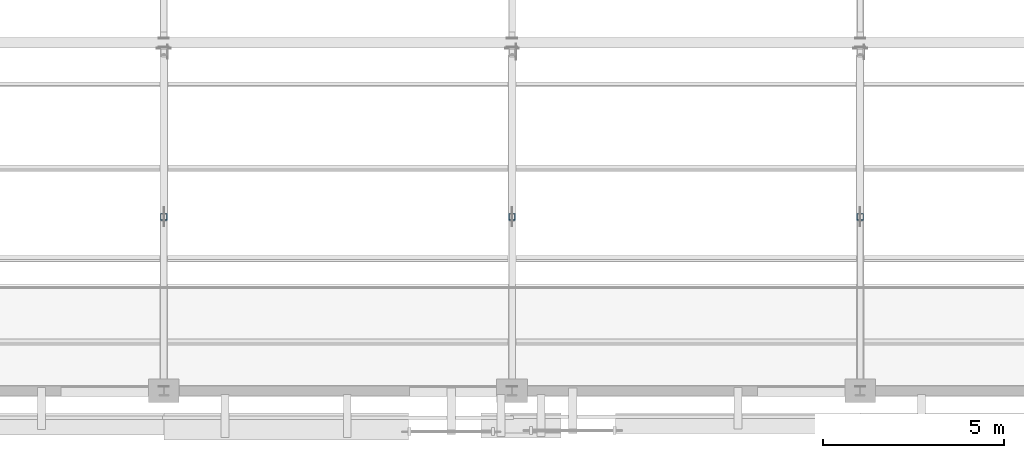
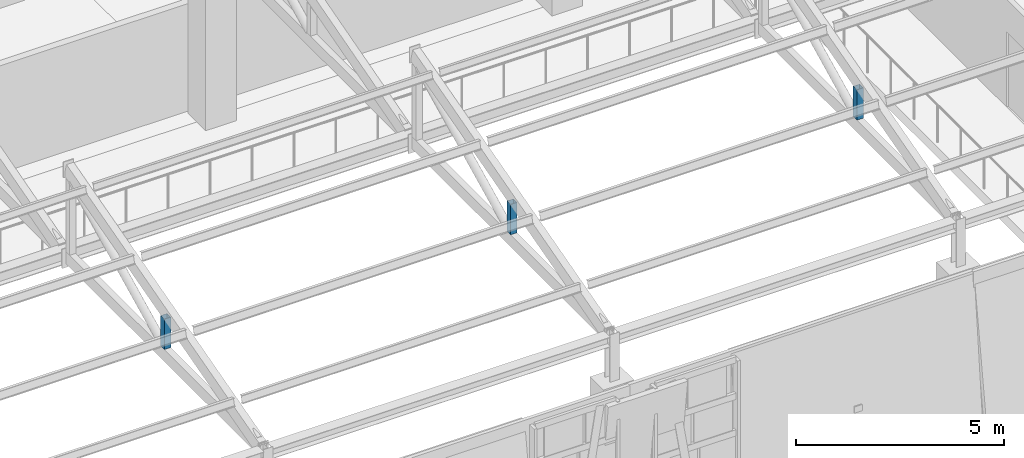
# One storey, part 30 of 58: 3 members.
"""IFC4 building model written with IfcOpenShell, lengths in metres."""

from ifc_helpers import new_model, si_unit, direction, frame, origin, origin_2d, place, context, subcontext, project, spatial, hollow_rectangle, extrude, material, material_profile, profile_set, type_object, element, save


model = new_model("IFC4")

# Units and contexts
model_context = context("Model", 3, precision=1e-05, world=origin(), true_north=direction((0.0, 1.0)))
body_context = subcontext(model_context, "Body", "Model", "MODEL_VIEW")
ifc_project = project(units=[si_unit("LENGTHUNIT", "METRE"), si_unit("AREAUNIT", "SQUARE_METRE"), si_unit("VOLUMEUNIT", "CUBIC_METRE"), si_unit("PLANEANGLEUNIT", "RADIAN"), si_unit("MASSUNIT", "GRAM", prefix="KILO")], contexts=[model_context])

# Site, building, storey
site_placement = place(None, origin())
site = spatial("IfcSite", under=ifc_project, at=site_placement, CompositionType="ELEMENT")
building_placement = place(site_placement, origin())
building = spatial("IfcBuilding", under=site, at=building_placement, Name="Bempovik Park Faculty of Sciences", CompositionType="ELEMENT")
storey_placement = place(building_placement, frame((0.0, 0.0, 18.300048828125)))
storey = spatial("IfcBuildingStorey", under=building, at=storey_placement, Name="L04", CompositionType="ELEMENT", Elevation=18.300048828125)

# Members
ifc_material = material(Name="Steel S355", Category="steel")
ifc_material_profile = material_profile(ifc_material, hollow_rectangle(XDim=0.179931640625, YDim=0.179931640625, WallThickness=0.008056640625, at=origin_2d()), Name="SHS 180x180x8")
ifc_profile_set = profile_set([ifc_material_profile], Name="Steel S355")
member_type = type_object("IfcMemberType", Name="M-40 SHS 180x180x8", PredefinedType="POST", material=ifc_profile_set)
for number, where, z_axis, x_axis, name in (
    (1, (79.199951171875, 72.60009765625, 5.36083984375), (0.0, 0.0, 1.0), (1.0, 0.0, 0.0), "Sawtooth Mid Post V2-B1 (79.2)"),
    (2, (88.800048828125, 72.60009765625, 5.36083984375), (0.0, 0.0, 1.0), (1.0, 0.0, 0.0), "Sawtooth Mid Post V2-B1 (88.8)"),
    (3, (98.39990234375, 72.60009765625, 5.36083984375), (0.0, 0.0, 1.0), (1.0, 0.0, 0.0), "Sawtooth Mid Post V2-B1 (98.4)"),
):
    element("IfcMember", number, at=place(storey_placement, frame(where, z_axis=z_axis, x_axis=x_axis)), inside=storey, type_object=member_type, Name=name, PredefinedType="POST", context=body_context, shape_type="SweptSolid", body=[
        extrude(hollow_rectangle(XDim=0.179931640625, YDim=0.179931640625, WallThickness=0.008056640625, at=origin_2d()), origin(), (0.0, 0.0, 1.0), 0.8876953125),
    ])

save(model, "model.ifc")
